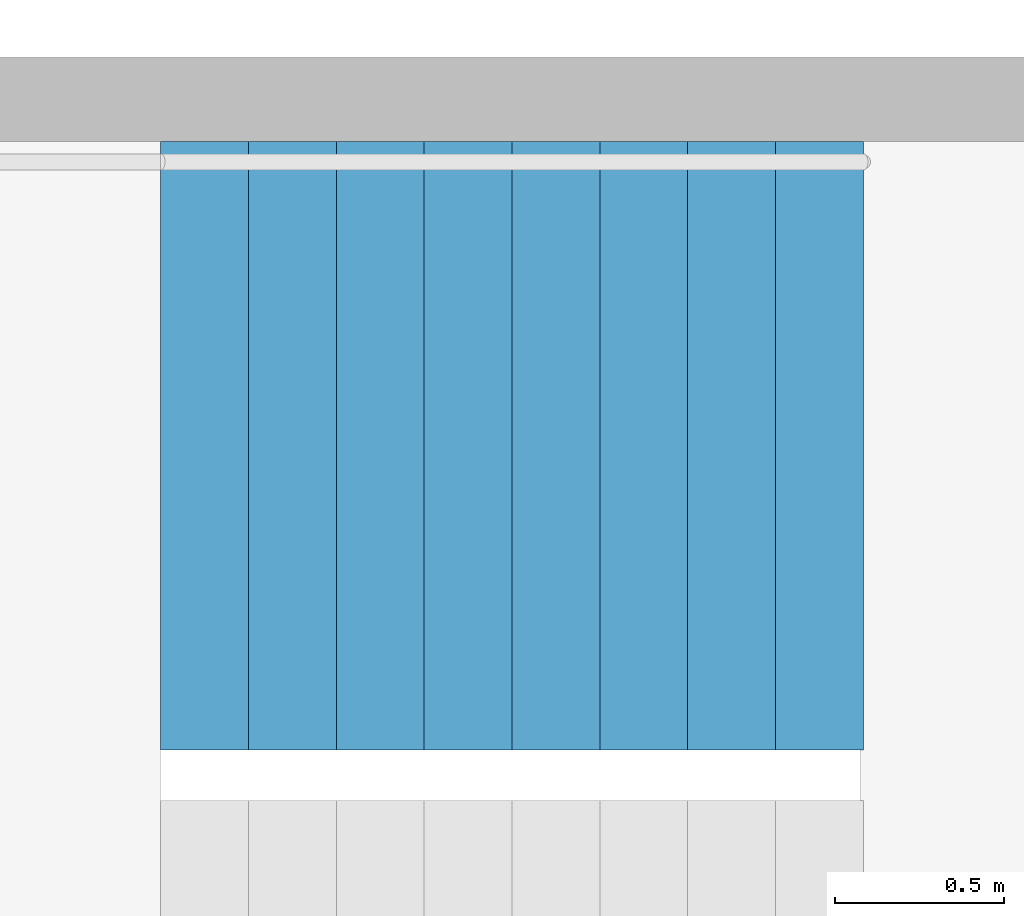
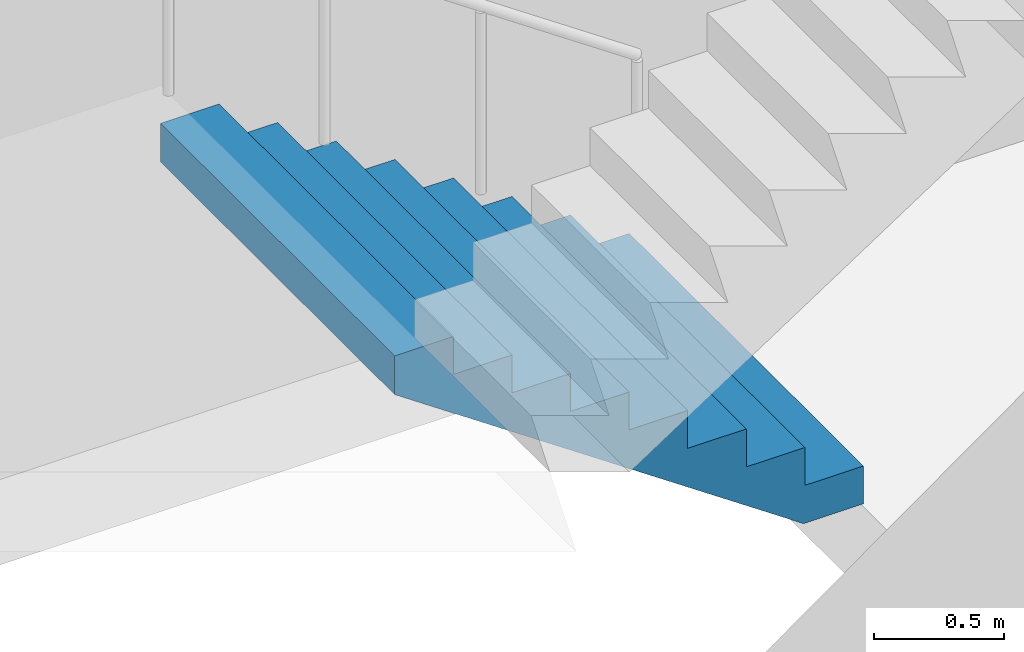
# One storey, part 21 of 28: 1 stair flight, 1 element without a shape of its own.
"""IFC4 building model written with IfcOpenShell, lengths in metres."""

from ifc_helpers import new_model, si_unit, direction, frame, origin, place, context, subcontext, project, spatial, triangles, material, type_object, element, aggregate, save


model = new_model("IFC4")

# Units and contexts
model_context = context("Model", 3, precision=1e-05, world=origin(), true_north=direction((0.0, 1.0)))
body_context = subcontext(model_context, "Body", "Model", "MODEL_VIEW")
ifc_project = project(units=[si_unit("LENGTHUNIT", "METRE"), si_unit("AREAUNIT", "SQUARE_METRE"), si_unit("VOLUMEUNIT", "CUBIC_METRE"), si_unit("PLANEANGLEUNIT", "RADIAN"), si_unit("MASSUNIT", "GRAM", prefix="KILO")], contexts=[model_context])

# Site, building, storey
site_placement = place(None, origin())
site = spatial("IfcSite", under=ifc_project, at=site_placement, CompositionType="ELEMENT")
building_placement = place(site_placement, origin())
building = spatial("IfcBuilding", under=site, at=building_placement, Name="Hakoniwa Tower and Hamabe Station Hall", CompositionType="ELEMENT")
storey_placement = place(building_placement, frame((0.0, 0.0, 48.60009765625)))
storey = spatial("IfcBuildingStorey", under=building, at=storey_placement, Name="L13", CompositionType="ELEMENT", Elevation=48.60009765625)

# Stair, stair flight
ifc_material_1 = material(Name="Concrete C40", Category="concrete")
stair_type = type_object("IfcStairType", Name="ESCAPE STAIR 1800", PredefinedType="HALF_TURN_STAIR", material=ifc_material_1)
stair_placement = place(storey_placement, origin())
stair = element("IfcStair", 1, at=stair_placement, inside=storey, type_object=stair_type, Name="Escape stair ST-2 L13", PredefinedType="HALF_TURN_STAIR")
ifc_material_2 = material(Name="Concrete C40", Category="concrete")
stair_flight_type = type_object("IfcStairFlightType", Name="STAIR FLIGHT 1800", PredefinedType="STRAIGHT", material=ifc_material_2)
stair_flight_placement = place(storey_placement, frame((-23.39990234375, -4.64990234375, 0.0), z_axis=(0.0, 0.0, 1.0), x_axis=(-1.0, 0.0, 0.0)))
stair_flight = element("IfcStairFlight", 2, at=stair_flight_placement, type_object=stair_flight_type, Name="ST-2 flight 1", NumberOfRisers=9, NumberOfTreads=8, PredefinedType="STRAIGHT", RiserHeight=0.177777778, TreadLength=0.26, context=body_context, shape_type="Tessellation", body=[
    triangles([(0.0, 0.89990234375, 0.0), (0.260009765625, 0.89990234375, 0.0), (0.265625, 0.89990234375, 0.0), (0.52001953125, 0.89990234375, 0.174072265625), (0.780029296875, 0.89990234375, 0.351806640625), (1.0400390625, 0.89990234375, 0.529541015625), (1.300048828125, 0.89990234375, 0.707275390625), (1.56005859375, 0.89990234375, 0.885009765625), (1.820068359375, 0.89990234375, 1.062744140625), (2.080078125, 0.89990234375, 1.24072265625), (2.080078125, 0.89990234375, 1.422119140625), (1.820068359375, 0.89990234375, 1.422119140625), (1.820068359375, 0.89990234375, 1.244384765625), (1.56005859375, 0.89990234375, 1.244384765625), (1.56005859375, 0.89990234375, 1.066650390625), (1.300048828125, 0.89990234375, 1.066650390625), (1.300048828125, 0.89990234375, 0.888916015625), (1.0400390625, 0.89990234375, 0.888916015625), (1.0400390625, 0.89990234375, 0.711181640625), (0.780029296875, 0.89990234375, 0.711181640625), (0.780029296875, 0.89990234375, 0.533447265625), (0.52001953125, 0.89990234375, 0.533447265625), (0.52001953125, 0.89990234375, 0.35546875), (0.265625, 0.89990234375, 0.35546875), (0.260009765625, 0.89990234375, 0.35546875), (0.260009765625, 0.89990234375, 0.177734375), (0.0, 0.89990234375, 0.177734375), (0.0, 0.06005859375, 0.0), (0.260009765625, 0.06005859375, 0.0), (0.265625, 0.06005859375, 0.0), (0.52001953125, 0.06005859375, 0.174072265625), (0.780029296875, 0.06005859375, 0.351806640625), (1.0400390625, 0.06005859375, 0.529541015625), (1.300048828125, 0.06005859375, 0.707275390625), (1.56005859375, 0.06005859375, 0.885009765625), (1.820068359375, 0.06005859375, 1.062744140625), (2.080078125, 0.06005859375, 1.24072265625), (2.080078125, 0.06005859375, 1.422119140625), (1.820068359375, 0.06005859375, 1.422119140625), (1.820068359375, 0.06005859375, 1.244384765625), (1.56005859375, 0.06005859375, 1.244384765625), (1.56005859375, 0.06005859375, 1.066650390625), (1.300048828125, 0.06005859375, 1.066650390625), (1.300048828125, 0.06005859375, 0.888916015625), (1.0400390625, 0.06005859375, 0.888916015625), (1.0400390625, 0.06005859375, 0.711181640625), (0.780029296875, 0.06005859375, 0.711181640625), (0.780029296875, 0.06005859375, 0.533447265625), (0.52001953125, 0.06005859375, 0.533447265625), (0.52001953125, 0.06005859375, 0.35546875), (0.265625, 0.06005859375, 0.35546875), (0.260009765625, 0.06005859375, 0.35546875), (0.260009765625, 0.06005859375, 0.177734375), (0.0, 0.06005859375, 0.177734375), (0.0, 0.04296875, 0.0), (0.260009765625, 0.04296875, 0.0), (0.265625, 0.04296875, 0.0), (0.52001953125, 0.04296875, 0.174072265625), (0.780029296875, 0.04296875, 0.351806640625), (1.0400390625, 0.04296875, 0.529541015625), (1.300048828125, 0.04296875, 0.707275390625), (1.56005859375, 0.04296875, 0.885009765625), (1.820068359375, 0.04296875, 1.062744140625), (2.080078125, 0.04296875, 1.24072265625), (2.080078125, 0.04296875, 1.422119140625), (1.820068359375, 0.04296875, 1.422119140625), (1.820068359375, 0.04296875, 1.244384765625), (1.56005859375, 0.04296875, 1.244384765625), (1.56005859375, 0.04296875, 1.066650390625), (1.300048828125, 0.04296875, 1.066650390625), (1.300048828125, 0.04296875, 0.888916015625), (1.0400390625, 0.04296875, 0.888916015625), (1.0400390625, 0.04296875, 0.711181640625), (0.780029296875, 0.04296875, 0.711181640625), (0.780029296875, 0.04296875, 0.533447265625), (0.52001953125, 0.04296875, 0.533447265625), (0.52001953125, 0.04296875, 0.35546875), (0.265625, 0.04296875, 0.35546875), (0.260009765625, 0.04296875, 0.35546875), (0.260009765625, 0.04296875, 0.177734375), (0.0, 0.04296875, 0.177734375), (0.0, 0.025634765625, 0.0), (0.260009765625, 0.025634765625, 0.0), (0.265625, 0.025634765625, 0.0), (0.52001953125, 0.025634765625, 0.174072265625), (0.780029296875, 0.025634765625, 0.351806640625), (1.0400390625, 0.025634765625, 0.529541015625), (1.300048828125, 0.025634765625, 0.707275390625), (1.56005859375, 0.025634765625, 0.885009765625), (1.820068359375, 0.025634765625, 1.062744140625), (2.080078125, 0.025634765625, 1.24072265625), (2.080078125, 0.025634765625, 1.422119140625), (1.820068359375, 0.025634765625, 1.422119140625), (1.820068359375, 0.025634765625, 1.244384765625), (1.56005859375, 0.025634765625, 1.244384765625), (1.56005859375, 0.025634765625, 1.066650390625), (1.300048828125, 0.025634765625, 1.066650390625), (1.300048828125, 0.025634765625, 0.888916015625), (1.0400390625, 0.025634765625, 0.888916015625), (1.0400390625, 0.025634765625, 0.711181640625), (0.780029296875, 0.025634765625, 0.711181640625), (0.780029296875, 0.025634765625, 0.533447265625), (0.52001953125, 0.025634765625, 0.533447265625), (0.52001953125, 0.025634765625, 0.35546875), (0.265625, 0.025634765625, 0.35546875), (0.260009765625, 0.025634765625, 0.35546875), (0.260009765625, 0.025634765625, 0.177734375), (0.0, 0.025634765625, 0.177734375), (0.0, 0.008544921875, 0.0), (0.260009765625, 0.008544921875, 0.0), (0.265625, 0.008544921875, 0.0), (0.52001953125, 0.008544921875, 0.174072265625), (0.780029296875, 0.008544921875, 0.351806640625), (1.0400390625, 0.008544921875, 0.529541015625), (1.300048828125, 0.008544921875, 0.707275390625), (1.56005859375, 0.008544921875, 0.885009765625), (1.820068359375, 0.008544921875, 1.062744140625), (2.080078125, 0.008544921875, 1.24072265625), (2.080078125, 0.008544921875, 1.422119140625), (1.820068359375, 0.008544921875, 1.422119140625), (1.820068359375, 0.008544921875, 1.244384765625), (1.56005859375, 0.008544921875, 1.244384765625), (1.56005859375, 0.008544921875, 1.066650390625), (1.300048828125, 0.008544921875, 1.066650390625), (1.300048828125, 0.008544921875, 0.888916015625), (1.0400390625, 0.008544921875, 0.888916015625), (1.0400390625, 0.008544921875, 0.711181640625), (0.780029296875, 0.008544921875, 0.711181640625), (0.780029296875, 0.008544921875, 0.533447265625), (0.52001953125, 0.008544921875, 0.533447265625), (0.52001953125, 0.008544921875, 0.35546875), (0.265625, 0.008544921875, 0.35546875), (0.260009765625, 0.008544921875, 0.35546875), (0.260009765625, 0.008544921875, 0.177734375), (0.0, 0.008544921875, 0.177734375), (0.0, -0.008544921875, 0.0), (0.260009765625, -0.008544921875, 0.0), (0.265625, -0.008544921875, 0.0), (0.52001953125, -0.008544921875, 0.174072265625), (0.780029296875, -0.008544921875, 0.351806640625), (1.0400390625, -0.008544921875, 0.529541015625), (1.300048828125, -0.008544921875, 0.707275390625), (1.56005859375, -0.008544921875, 0.885009765625), (1.820068359375, -0.008544921875, 1.062744140625), (2.080078125, -0.008544921875, 1.24072265625), (2.080078125, -0.008544921875, 1.422119140625), (1.820068359375, -0.008544921875, 1.422119140625), (1.820068359375, -0.008544921875, 1.244384765625), (1.56005859375, -0.008544921875, 1.244384765625), (1.56005859375, -0.008544921875, 1.066650390625), (1.300048828125, -0.008544921875, 1.066650390625), (1.300048828125, -0.008544921875, 0.888916015625), (1.0400390625, -0.008544921875, 0.888916015625), (1.0400390625, -0.008544921875, 0.711181640625), (0.780029296875, -0.008544921875, 0.711181640625), (0.780029296875, -0.008544921875, 0.533447265625), (0.52001953125, -0.008544921875, 0.533447265625), (0.52001953125, -0.008544921875, 0.35546875), (0.265625, -0.008544921875, 0.35546875), (0.260009765625, -0.008544921875, 0.35546875), (0.260009765625, -0.008544921875, 0.177734375), (0.0, -0.008544921875, 0.177734375), (0.0, -0.025634765625, 0.0), (0.260009765625, -0.025634765625, 0.0), (0.265625, -0.025634765625, 0.0), (0.52001953125, -0.025634765625, 0.174072265625), (0.780029296875, -0.025634765625, 0.351806640625), (1.0400390625, -0.025634765625, 0.529541015625), (1.300048828125, -0.025634765625, 0.707275390625), (1.56005859375, -0.025634765625, 0.885009765625), (1.820068359375, -0.025634765625, 1.062744140625), (2.080078125, -0.025634765625, 1.24072265625), (2.080078125, -0.025634765625, 1.422119140625), (1.820068359375, -0.025634765625, 1.422119140625), (1.820068359375, -0.025634765625, 1.244384765625), (1.56005859375, -0.025634765625, 1.244384765625), (1.56005859375, -0.025634765625, 1.066650390625), (1.300048828125, -0.025634765625, 1.066650390625), (1.300048828125, -0.025634765625, 0.888916015625), (1.0400390625, -0.025634765625, 0.888916015625), (1.0400390625, -0.025634765625, 0.711181640625), (0.780029296875, -0.025634765625, 0.711181640625), (0.780029296875, -0.025634765625, 0.533447265625), (0.52001953125, -0.025634765625, 0.533447265625), (0.52001953125, -0.025634765625, 0.35546875), (0.265625, -0.025634765625, 0.35546875), (0.260009765625, -0.025634765625, 0.35546875), (0.260009765625, -0.025634765625, 0.177734375), (0.0, -0.025634765625, 0.177734375), (0.0, -0.04296875, 0.0), (0.260009765625, -0.04296875, 0.0), (0.265625, -0.04296875, 0.0), (0.52001953125, -0.04296875, 0.174072265625), (0.780029296875, -0.04296875, 0.351806640625), (1.0400390625, -0.04296875, 0.529541015625), (1.300048828125, -0.04296875, 0.707275390625), (1.56005859375, -0.04296875, 0.885009765625), (1.820068359375, -0.04296875, 1.062744140625), (2.080078125, -0.04296875, 1.24072265625), (2.080078125, -0.04296875, 1.422119140625), (1.820068359375, -0.04296875, 1.422119140625), (1.820068359375, -0.04296875, 1.244384765625), (1.56005859375, -0.04296875, 1.244384765625), (1.56005859375, -0.04296875, 1.066650390625), (1.300048828125, -0.04296875, 1.066650390625), (1.300048828125, -0.04296875, 0.888916015625), (1.0400390625, -0.04296875, 0.888916015625), (1.0400390625, -0.04296875, 0.711181640625), (0.780029296875, -0.04296875, 0.711181640625), (0.780029296875, -0.04296875, 0.533447265625), (0.52001953125, -0.04296875, 0.533447265625), (0.52001953125, -0.04296875, 0.35546875), (0.265625, -0.04296875, 0.35546875), (0.260009765625, -0.04296875, 0.35546875), (0.260009765625, -0.04296875, 0.177734375), (0.0, -0.04296875, 0.177734375), (0.0, -0.06005859375, 0.0), (0.260009765625, -0.06005859375, 0.0), (0.265625, -0.06005859375, 0.0), (0.52001953125, -0.06005859375, 0.174072265625), (0.780029296875, -0.06005859375, 0.351806640625), (1.0400390625, -0.06005859375, 0.529541015625), (1.300048828125, -0.06005859375, 0.707275390625), (1.56005859375, -0.06005859375, 0.885009765625), (1.820068359375, -0.06005859375, 1.062744140625), (2.080078125, -0.06005859375, 1.24072265625), (2.080078125, -0.06005859375, 1.422119140625), (1.820068359375, -0.06005859375, 1.422119140625), (1.820068359375, -0.06005859375, 1.244384765625), (1.56005859375, -0.06005859375, 1.244384765625), (1.56005859375, -0.06005859375, 1.066650390625), (1.300048828125, -0.06005859375, 1.066650390625), (1.300048828125, -0.06005859375, 0.888916015625), (1.0400390625, -0.06005859375, 0.888916015625), (1.0400390625, -0.06005859375, 0.711181640625), (0.780029296875, -0.06005859375, 0.711181640625), (0.780029296875, -0.06005859375, 0.533447265625), (0.52001953125, -0.06005859375, 0.533447265625), (0.52001953125, -0.06005859375, 0.35546875), (0.265625, -0.06005859375, 0.35546875), (0.260009765625, -0.06005859375, 0.35546875), (0.260009765625, -0.06005859375, 0.177734375), (0.0, -0.06005859375, 0.177734375), (0.0, -0.89990234375, 0.0), (0.260009765625, -0.89990234375, 0.0), (0.265625, -0.89990234375, 0.0), (0.52001953125, -0.89990234375, 0.174072265625), (0.780029296875, -0.89990234375, 0.351806640625), (1.0400390625, -0.89990234375, 0.529541015625), (1.300048828125, -0.89990234375, 0.707275390625), (1.56005859375, -0.89990234375, 0.885009765625), (1.820068359375, -0.89990234375, 1.062744140625), (2.080078125, -0.89990234375, 1.24072265625), (2.080078125, -0.89990234375, 1.422119140625), (1.820068359375, -0.89990234375, 1.422119140625), (1.820068359375, -0.89990234375, 1.244384765625), (1.56005859375, -0.89990234375, 1.244384765625), (1.56005859375, -0.89990234375, 1.066650390625), (1.300048828125, -0.89990234375, 1.066650390625), (1.300048828125, -0.89990234375, 0.888916015625), (1.0400390625, -0.89990234375, 0.888916015625), (1.0400390625, -0.89990234375, 0.711181640625), (0.780029296875, -0.89990234375, 0.711181640625), (0.780029296875, -0.89990234375, 0.533447265625), (0.52001953125, -0.89990234375, 0.533447265625), (0.52001953125, -0.89990234375, 0.35546875), (0.265625, -0.89990234375, 0.35546875), (0.260009765625, -0.89990234375, 0.35546875), (0.260009765625, -0.89990234375, 0.177734375), (0.0, -0.89990234375, 0.177734375)], [[2, 27, 26], [245, 269, 270], [2, 1, 27], [245, 270, 244], [3, 25, 24], [246, 267, 268], [3, 26, 25], [246, 268, 269], [3, 2, 26], [246, 269, 245], [4, 24, 23], [247, 266, 267], [4, 3, 24], [247, 267, 246], [5, 22, 21], [248, 264, 265], [5, 23, 22], [248, 265, 266], [5, 4, 23], [248, 266, 247], [6, 20, 19], [249, 262, 263], [6, 21, 20], [249, 263, 264], [6, 5, 21], [249, 264, 248], [7, 18, 17], [250, 260, 261], [7, 19, 18], [250, 261, 262], [7, 6, 19], [250, 262, 249], [8, 16, 15], [251, 258, 259], [8, 17, 16], [251, 259, 260], [8, 7, 17], [251, 260, 250], [9, 14, 13], [252, 256, 257], [9, 15, 14], [252, 257, 258], [9, 8, 15], [252, 258, 251], [10, 12, 11], [253, 254, 255], [10, 13, 12], [253, 255, 256], [10, 9, 13], [253, 256, 252], [1, 2, 29], [1, 29, 28], [28, 29, 56], [28, 56, 55], [55, 56, 83], [55, 83, 82], [82, 83, 110], [82, 110, 109], [109, 110, 137], [109, 137, 136], [136, 137, 164], [136, 164, 163], [163, 164, 191], [163, 191, 190], [190, 191, 218], [190, 218, 217], [217, 218, 245], [217, 245, 244], [2, 3, 30], [2, 30, 29], [29, 30, 57], [29, 57, 56], [56, 57, 84], [56, 84, 83], [83, 84, 111], [83, 111, 110], [110, 111, 138], [110, 138, 137], [137, 138, 165], [137, 165, 164], [164, 165, 192], [164, 192, 191], [191, 192, 219], [191, 219, 218], [218, 219, 246], [218, 246, 245], [3, 4, 31], [3, 31, 30], [30, 31, 58], [30, 58, 57], [57, 58, 85], [57, 85, 84], [84, 85, 112], [84, 112, 111], [111, 112, 139], [111, 139, 138], [138, 139, 166], [138, 166, 165], [165, 166, 193], [165, 193, 192], [192, 193, 220], [192, 220, 219], [219, 220, 247], [219, 247, 246], [4, 5, 32], [4, 32, 31], [31, 32, 59], [31, 59, 58], [58, 59, 86], [58, 86, 85], [85, 86, 113], [85, 113, 112], [112, 113, 140], [112, 140, 139], [139, 140, 167], [139, 167, 166], [166, 167, 194], [166, 194, 193], [193, 194, 221], [193, 221, 220], [220, 221, 248], [220, 248, 247], [5, 6, 33], [5, 33, 32], [32, 33, 60], [32, 60, 59], [59, 60, 87], [59, 87, 86], [86, 87, 114], [86, 114, 113], [113, 114, 141], [113, 141, 140], [140, 141, 168], [140, 168, 167], [167, 168, 195], [167, 195, 194], [194, 195, 222], [194, 222, 221], [221, 222, 249], [221, 249, 248], [6, 7, 34], [6, 34, 33], [33, 34, 61], [33, 61, 60], [60, 61, 88], [60, 88, 87], [87, 88, 115], [87, 115, 114], [114, 115, 142], [114, 142, 141], [141, 142, 169], [141, 169, 168], [168, 169, 196], [168, 196, 195], [195, 196, 223], [195, 223, 222], [222, 223, 250], [222, 250, 249], [7, 8, 35], [7, 35, 34], [34, 35, 62], [34, 62, 61], [61, 62, 89], [61, 89, 88], [88, 89, 116], [88, 116, 115], [115, 116, 143], [115, 143, 142], [142, 143, 170], [142, 170, 169], [169, 170, 197], [169, 197, 196], [196, 197, 224], [196, 224, 223], [223, 224, 251], [223, 251, 250], [8, 9, 36], [8, 36, 35], [35, 36, 63], [35, 63, 62], [62, 63, 90], [62, 90, 89], [89, 90, 117], [89, 117, 116], [116, 117, 144], [116, 144, 143], [143, 144, 171], [143, 171, 170], [170, 171, 198], [170, 198, 197], [197, 198, 225], [197, 225, 224], [224, 225, 252], [224, 252, 251], [9, 10, 37], [9, 37, 36], [36, 37, 64], [36, 64, 63], [63, 64, 91], [63, 91, 90], [90, 91, 118], [90, 118, 117], [117, 118, 145], [117, 145, 144], [144, 145, 172], [144, 172, 171], [171, 172, 199], [171, 199, 198], [198, 199, 226], [198, 226, 225], [225, 226, 253], [225, 253, 252], [10, 11, 38], [10, 38, 37], [37, 38, 65], [37, 65, 64], [64, 65, 92], [64, 92, 91], [91, 92, 119], [91, 119, 118], [118, 119, 146], [118, 146, 145], [145, 146, 173], [145, 173, 172], [172, 173, 200], [172, 200, 199], [199, 200, 227], [199, 227, 226], [226, 227, 254], [226, 254, 253], [11, 12, 39], [11, 39, 38], [38, 39, 66], [38, 66, 65], [65, 66, 93], [65, 93, 92], [92, 93, 120], [92, 120, 119], [119, 120, 147], [119, 147, 146], [146, 147, 174], [146, 174, 173], [173, 174, 201], [173, 201, 200], [200, 201, 228], [200, 228, 227], [227, 228, 255], [227, 255, 254], [12, 13, 40], [12, 40, 39], [39, 40, 67], [39, 67, 66], [66, 67, 94], [66, 94, 93], [93, 94, 121], [93, 121, 120], [120, 121, 148], [120, 148, 147], [147, 148, 175], [147, 175, 174], [174, 175, 202], [174, 202, 201], [201, 202, 229], [201, 229, 228], [228, 229, 256], [228, 256, 255], [13, 14, 41], [13, 41, 40], [40, 41, 68], [40, 68, 67], [67, 68, 95], [67, 95, 94], [94, 95, 122], [94, 122, 121], [121, 122, 149], [121, 149, 148], [148, 149, 176], [148, 176, 175], [175, 176, 203], [175, 203, 202], [202, 203, 230], [202, 230, 229], [229, 230, 257], [229, 257, 256], [14, 15, 42], [14, 42, 41], [41, 42, 69], [41, 69, 68], [68, 69, 96], [68, 96, 95], [95, 96, 123], [95, 123, 122], [122, 123, 150], [122, 150, 149], [149, 150, 177], [149, 177, 176], [176, 177, 204], [176, 204, 203], [203, 204, 231], [203, 231, 230], [230, 231, 258], [230, 258, 257], [15, 16, 43], [15, 43, 42], [42, 43, 70], [42, 70, 69], [69, 70, 97], [69, 97, 96], [96, 97, 124], [96, 124, 123], [123, 124, 151], [123, 151, 150], [150, 151, 178], [150, 178, 177], [177, 178, 205], [177, 205, 204], [204, 205, 232], [204, 232, 231], [231, 232, 259], [231, 259, 258], [16, 17, 44], [16, 44, 43], [43, 44, 71], [43, 71, 70], [70, 71, 98], [70, 98, 97], [97, 98, 125], [97, 125, 124], [124, 125, 152], [124, 152, 151], [151, 152, 179], [151, 179, 178], [178, 179, 206], [178, 206, 205], [205, 206, 233], [205, 233, 232], [232, 233, 260], [232, 260, 259], [17, 18, 45], [17, 45, 44], [44, 45, 72], [44, 72, 71], [71, 72, 99], [71, 99, 98], [98, 99, 126], [98, 126, 125], [125, 126, 153], [125, 153, 152], [152, 153, 180], [152, 180, 179], [179, 180, 207], [179, 207, 206], [206, 207, 234], [206, 234, 233], [233, 234, 261], [233, 261, 260], [18, 19, 46], [18, 46, 45], [45, 46, 73], [45, 73, 72], [72, 73, 100], [72, 100, 99], [99, 100, 127], [99, 127, 126], [126, 127, 154], [126, 154, 153], [153, 154, 181], [153, 181, 180], [180, 181, 208], [180, 208, 207], [207, 208, 235], [207, 235, 234], [234, 235, 262], [234, 262, 261], [19, 20, 47], [19, 47, 46], [46, 47, 74], [46, 74, 73], [73, 74, 101], [73, 101, 100], [100, 101, 128], [100, 128, 127], [127, 128, 155], [127, 155, 154], [154, 155, 182], [154, 182, 181], [181, 182, 209], [181, 209, 208], [208, 209, 236], [208, 236, 235], [235, 236, 263], [235, 263, 262], [20, 21, 48], [20, 48, 47], [47, 48, 75], [47, 75, 74], [74, 75, 102], [74, 102, 101], [101, 102, 129], [101, 129, 128], [128, 129, 156], [128, 156, 155], [155, 156, 183], [155, 183, 182], [182, 183, 210], [182, 210, 209], [209, 210, 237], [209, 237, 236], [236, 237, 264], [236, 264, 263], [21, 22, 49], [21, 49, 48], [48, 49, 76], [48, 76, 75], [75, 76, 103], [75, 103, 102], [102, 103, 130], [102, 130, 129], [129, 130, 157], [129, 157, 156], [156, 157, 184], [156, 184, 183], [183, 184, 211], [183, 211, 210], [210, 211, 238], [210, 238, 237], [237, 238, 265], [237, 265, 264], [22, 23, 50], [22, 50, 49], [49, 50, 77], [49, 77, 76], [76, 77, 104], [76, 104, 103], [103, 104, 131], [103, 131, 130], [130, 131, 158], [130, 158, 157], [157, 158, 185], [157, 185, 184], [184, 185, 212], [184, 212, 211], [211, 212, 239], [211, 239, 238], [238, 239, 266], [238, 266, 265], [23, 24, 51], [23, 51, 50], [50, 51, 78], [50, 78, 77], [77, 78, 105], [77, 105, 104], [104, 105, 132], [104, 132, 131], [131, 132, 159], [131, 159, 158], [158, 159, 186], [158, 186, 185], [185, 186, 213], [185, 213, 212], [212, 213, 240], [212, 240, 239], [239, 240, 267], [239, 267, 266], [24, 25, 52], [24, 52, 51], [51, 52, 79], [51, 79, 78], [78, 79, 106], [78, 106, 105], [105, 106, 133], [105, 133, 132], [132, 133, 160], [132, 160, 159], [159, 160, 187], [159, 187, 186], [186, 187, 214], [186, 214, 213], [213, 214, 241], [213, 241, 240], [240, 241, 268], [240, 268, 267], [25, 26, 53], [25, 53, 52], [52, 53, 80], [52, 80, 79], [79, 80, 107], [79, 107, 106], [106, 107, 134], [106, 134, 133], [133, 134, 161], [133, 161, 160], [160, 161, 188], [160, 188, 187], [187, 188, 215], [187, 215, 214], [214, 215, 242], [214, 242, 241], [241, 242, 269], [241, 269, 268], [26, 27, 54], [26, 54, 53], [53, 54, 81], [53, 81, 80], [80, 81, 108], [80, 108, 107], [107, 108, 135], [107, 135, 134], [134, 135, 162], [134, 162, 161], [161, 162, 189], [161, 189, 188], [188, 189, 216], [188, 216, 215], [215, 216, 243], [215, 243, 242], [242, 243, 270], [242, 270, 269], [27, 1, 28], [27, 28, 54], [54, 28, 55], [54, 55, 81], [81, 55, 82], [81, 82, 108], [108, 82, 109], [108, 109, 135], [135, 109, 136], [135, 136, 162], [162, 136, 163], [162, 163, 189], [189, 163, 190], [189, 190, 216], [216, 190, 217], [216, 217, 243], [243, 217, 244], [243, 244, 270]], closed=True),
])
aggregate(stair, [stair_flight])

save(model, "model.ifc")
